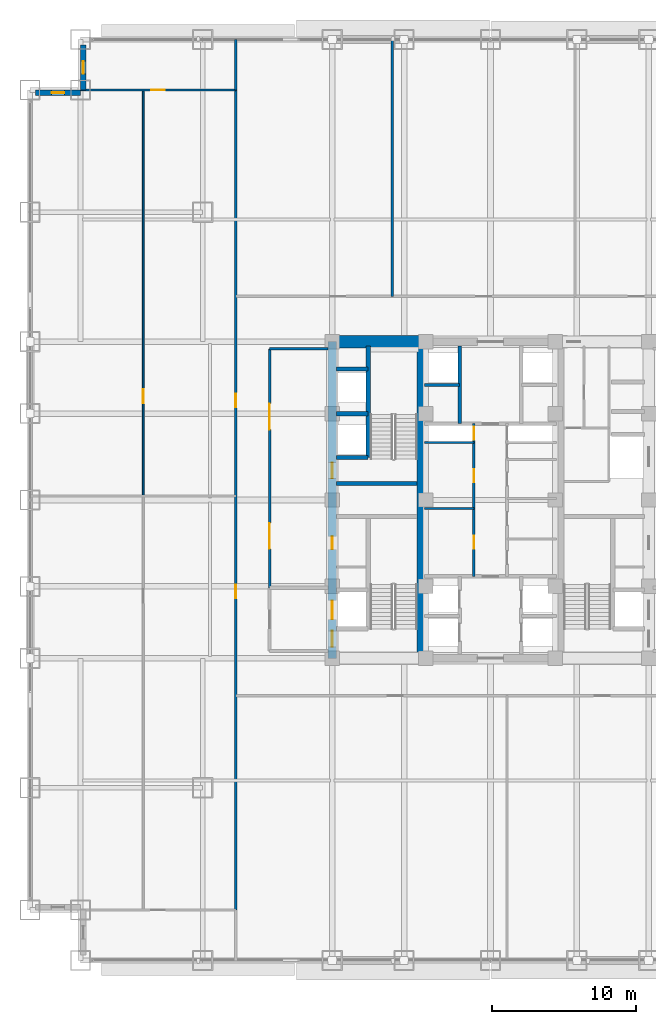
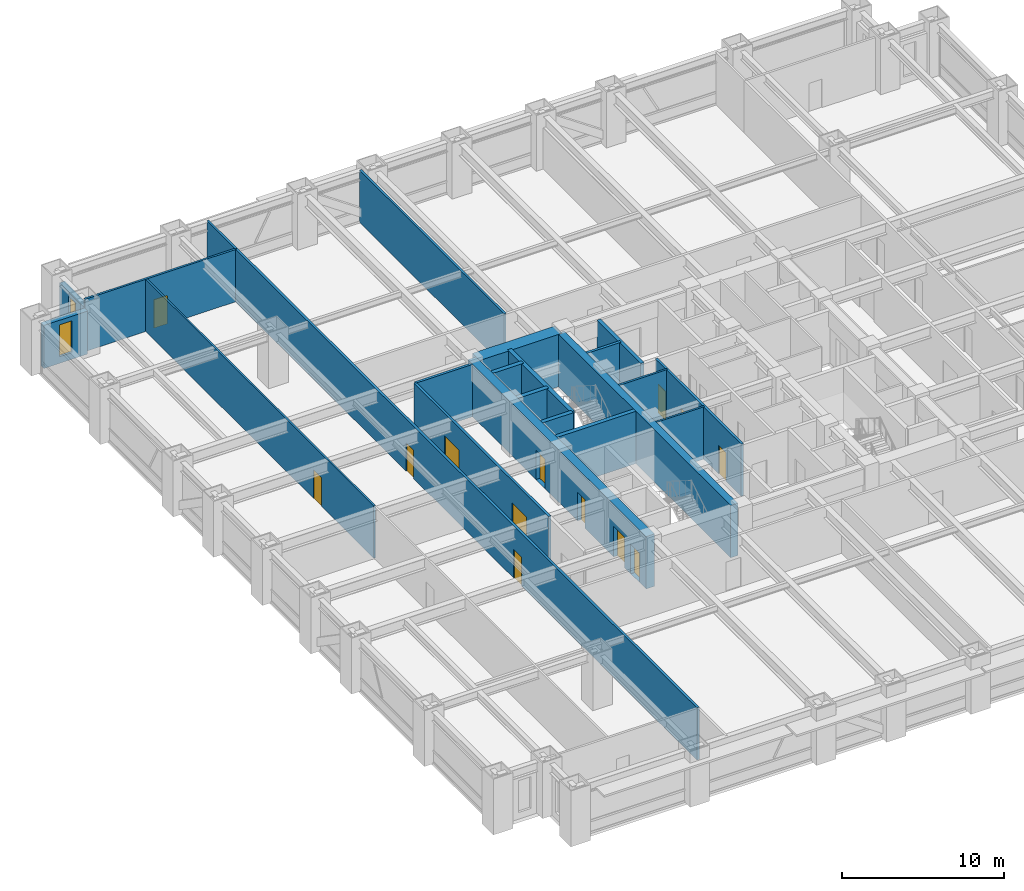
# One storey, part 25 of 32: 22 walls, 13 doors, 2 windows, 15 openings.
"""IFC4 building model written with IfcOpenShell, lengths in metres."""

import ifcopenshell
import ifcopenshell.guid

model = None  # the IFC model being written
_history = None  # IfcOwnerHistory: only IFC2X3 demands one
_inside = {}  # id of a spatial element -> (the spatial element, [elements in it])
_under = {}  # id of a project, library or spatial element -> (it, [spatial elements below it])
_declared = {}  # id of a project -> (the project, [libraries it declares])
_typed = {}  # id of a type object -> (the type object, [elements of that type])
_made_of = {}  # id of a material, layer set ... -> (it, [elements and type objects made of it])


def new_model(schema):
    """Start an empty IFC model of exactly this schema.

    Asked for "IFC4X3", IfcOpenShell would pick the latest addendum, in which some entities
    have other attributes; the version numbers below select the first issue.
    IFC2X3 requires an IfcOwnerHistory on every rooted entity: one is made here for all.
    """
    global model, _history
    if schema == "IFC4X3":
        model = ifcopenshell.file(schema_version=(4, 3, 0, 0))
    else:
        model = ifcopenshell.file(schema=schema)
    _inside.clear()
    _under.clear()
    _declared.clear()
    _typed.clear()
    _made_of.clear()
    _history = None
    if model.schema == "IFC2X3":
        org = make("IfcOrganization", Name="unknown")
        user = make(
            "IfcPersonAndOrganization",
            ThePerson=make("IfcPerson", FamilyName="unknown"),
            TheOrganization=org,
        )
        app = make(
            "IfcApplication",
            ApplicationDeveloper=org,
            Version="unknown",
            ApplicationFullName="unknown",
            ApplicationIdentifier="unknown",
        )
        _history = make(
            "IfcOwnerHistory",
            OwningUser=user,
            OwningApplication=app,
            ChangeAction="ADDED",
            CreationDate=0,
        )
    return model


def make(cls, **values):
    """One entity of the class cls with the attributes given. An attribute that is None is left unset."""
    return model.create_entity(
        cls, **{name: value for name, value in values.items() if value is not None}
    )


def rooted(cls, **values):
    """An entity with a GlobalId (a new one), such as an element, a storey or a relation."""
    return make(cls, GlobalId=ifcopenshell.guid.new(), OwnerHistory=_history, **values)


def si_unit(unit_type, name, prefix=None):
    """IfcSIUnit, for example si_unit("LENGTHUNIT", "METRE", prefix="MILLI")."""
    return make("IfcSIUnit", UnitType=unit_type, Prefix=prefix, Name=name)


def assignment(units):
    """IfcUnitAssignment: the units of a project."""
    return None if units is None else make("IfcUnitAssignment", Units=units)


def point(xyz):
    """IfcCartesianPoint."""
    return None if xyz is None else make("IfcCartesianPoint", Coordinates=xyz)


def direction(xyz):
    """IfcDirection."""
    return None if xyz is None else make("IfcDirection", DirectionRatios=xyz)


def frame(location, z_axis=None, x_axis=None):
    """IfcAxis2Placement3D, a coordinate frame: its origin and axes. An axis left out is left unset."""
    return make(
        "IfcAxis2Placement3D",
        Location=point(location),
        Axis=direction(z_axis),
        RefDirection=direction(x_axis),
    )


def frame_2d(location, x_axis=None):
    """IfcAxis2Placement2D, a coordinate frame in the plane: its origin and x axis."""
    return make(
        "IfcAxis2Placement2D", Location=point(location), RefDirection=direction(x_axis)
    )


def origin():
    """The frame at (0, 0, 0) with its axes left unset."""
    return frame((0.0, 0.0, 0.0))


def place(relative_to, where):
    """IfcLocalPlacement: puts the frame where relative to a parent placement (None: the world)."""
    return make(
        "IfcLocalPlacement", PlacementRelTo=relative_to, RelativePlacement=where
    )


def context(
    kind, dimensions, precision=None, world=None, true_north=None, identifier=None
):
    """IfcGeometricRepresentationContext, for example the 3D "Model" context."""
    return make(
        "IfcGeometricRepresentationContext",
        ContextIdentifier=identifier,
        ContextType=kind,
        CoordinateSpaceDimension=dimensions,
        Precision=precision,
        WorldCoordinateSystem=world,
        TrueNorth=true_north,
    )


def subcontext(parent, identifier, kind, view, scale=None):
    """IfcGeometricRepresentationSubContext, for example "Body" below "Model"."""
    return make(
        "IfcGeometricRepresentationSubContext",
        ContextIdentifier=identifier,
        ContextType=kind,
        ParentContext=parent,
        TargetScale=scale,
        TargetView=view,
    )


def project(units=None, contexts=None):
    """IfcProject with its units and contexts."""
    return rooted(
        "IfcProject",
        Name="project",
        RepresentationContexts=contexts,
        UnitsInContext=assignment(units),
    )


def spatial(cls, under=None, at=None, **own):
    """A site, building, storey or space (cls), placed at a placement, below another one or the project."""
    s = rooted(cls, ObjectPlacement=at, **own)
    if under is not None:
        _under.setdefault(under.id(), (under, []))[1].append(s)
    return s


def profile(cls, at=None, kind="AREA", **sizes):
    """A parametric profile (cls). Its sizes go by their IFC names, for example OverallWidth=200.0."""
    return make(cls, ProfileType=kind, Position=at, **sizes)


def rectangle(**sizes):
    """IfcRectangleProfileDef."""
    return profile("IfcRectangleProfileDef", **sizes)


def extrude(swept, where, along, depth):
    """IfcExtrudedAreaSolid: the profile swept, set in the frame where, extruded along a direction by depth."""
    return make(
        "IfcExtrudedAreaSolid",
        SweptArea=swept,
        Position=where,
        ExtrudedDirection=direction(along),
        Depth=depth,
    )


def shape(context_of_items, identifier, shape_type, items):
    """IfcShapeRepresentation: the items that make up one representation, for example the "Body"."""
    return make(
        "IfcShapeRepresentation",
        ContextOfItems=context_of_items,
        RepresentationIdentifier=identifier,
        RepresentationType=shape_type,
        Items=items,
    )


def source(mapping_origin, context_of_items, identifier, shape_type, items):
    """IfcRepresentationMap: a shape defined once, which mapped items show again and again."""
    return make(
        "IfcRepresentationMap",
        MappingOrigin=mapping_origin,
        MappedRepresentation=shape(context_of_items, identifier, shape_type, items),
    )


def transform(
    local_origin,
    x_axis=None,
    y_axis=None,
    z_axis=None,
    scale=None,
    scale2=None,
    scale3=None,
    uniform=True,
):
    """IfcCartesianTransformationOperator3D, or its non-uniform kind. x_axis, y_axis, z_axis: its Axis1, 2, 3."""
    if uniform:
        return make(
            "IfcCartesianTransformationOperator3D",
            Axis1=direction(x_axis),
            Axis2=direction(y_axis),
            LocalOrigin=point(local_origin),
            Scale=scale,
            Axis3=direction(z_axis),
        )
    return make(
        "IfcCartesianTransformationOperator3DnonUniform",
        Axis1=direction(x_axis),
        Axis2=direction(y_axis),
        LocalOrigin=point(local_origin),
        Scale=scale,
        Axis3=direction(z_axis),
        Scale2=scale2,
        Scale3=scale3,
    )


def mapped(mapping_source, mapping_target):
    """IfcMappedItem: shows the shape of a source again, moved by a transform."""
    return make(
        "IfcMappedItem", MappingSource=mapping_source, MappingTarget=mapping_target
    )


def material(Name=None, Category=None):
    """IfcMaterial."""
    return make("IfcMaterial", Name=Name, Category=Category)


def layer(
    of_material, thickness, ventilated=None, Name=None, Category=None, Priority=None
):
    """IfcMaterialLayer: one layer of a wall or slab, of a material (None: an air gap)."""
    return make(
        "IfcMaterialLayer",
        Material=of_material,
        LayerThickness=thickness,
        IsVentilated=ventilated,
        Name=Name,
        Category=Category,
        Priority=Priority,
    )


def layer_set(layers, Name=None):
    """IfcMaterialLayerSet."""
    return make("IfcMaterialLayerSet", MaterialLayers=layers, LayerSetName=Name)


def made_of(thing, what):
    """Note that an element or type object is made of a material, layer set ...; save() writes the relation."""
    if what is not None:
        _made_of.setdefault(what.id(), (what, []))[1].append(thing)
    return thing


def type_object(cls, material=None, **own):
    """A type object (cls), such as IfcWallType, which elements share."""
    return made_of(rooted(cls, **own), material)


def element(
    cls,
    number,
    at=None,
    inside=None,
    cuts=None,
    type_object=None,
    material=None,
    context=None,
    identifier="Body",
    shape_type=None,
    held_by="IfcProductDefinitionShape",
    body=None,
    shapes=None,
    **own,
):
    """One element of the class cls, such as IfcWall. Its Tag is "e" and its number.

    at: its placement. inside: the storey or other place that contains it. cuts: it is an
    opening in that element (IfcRelVoidsElement). A single representation is given by context,
    identifier, shape_type and body (its items); several are given by shapes. held_by: the class
    of the entity that holds the representations. save() writes the other relations.
    """
    e = rooted(cls, Tag="e%d" % number, ObjectPlacement=at, **own)
    if body is not None:
        shapes = [shape(context, identifier, shape_type, body)]
    if shapes is not None:
        e.Representation = make(held_by, Representations=shapes)
    if inside is not None:
        _inside.setdefault(inside.id(), (inside, []))[1].append(e)
    if cuts is not None:
        rooted(
            "IfcRelVoidsElement", RelatingBuildingElement=cuts, RelatedOpeningElement=e
        )
    if type_object is not None:
        _typed.setdefault(type_object.id(), (type_object, []))[1].append(e)
    return made_of(e, material)


def fill(opening, filler):
    """IfcRelFillsElement: the door or window that sits in an opening."""
    return rooted(
        "IfcRelFillsElement",
        RelatingOpeningElement=opening,
        RelatedBuildingElement=filler,
    )


def aggregate(whole, parts):
    """IfcRelAggregates: a whole, such as a stair, and the parts it consists of."""
    return rooted("IfcRelAggregates", RelatingObject=whole, RelatedObjects=parts)


def save(model, path):
    """Write the relations noted so far, then the file.

    IfcRelAggregates (storeys below a building ...), IfcRelContainedInSpatialStructure (elements
    in a storey), IfcRelDefinesByType, IfcRelAssociatesMaterial and IfcRelDeclares: one each for
    every whole, place, type object, material and project.
    """
    for whole, parts in _under.values():
        aggregate(whole, parts)
    for where, things in _inside.values():
        rooted(
            "IfcRelContainedInSpatialStructure",
            RelatedElements=things,
            RelatingStructure=where,
        )
    for kind, things in _typed.values():
        rooted("IfcRelDefinesByType", RelatedObjects=things, RelatingType=kind)
    for what, things in _made_of.values():
        rooted("IfcRelAssociatesMaterial", RelatedObjects=things, RelatingMaterial=what)
    for by, libraries in _declared.values():
        rooted("IfcRelDeclares", RelatingContext=by, RelatedDefinitions=libraries)
    model.write(path)


model = new_model("IFC4")

# Units and contexts
model_context = context("Model", 3, precision=1e-05, world=origin(), true_north=direction((0.0, 1.0)))
body_context = subcontext(model_context, "Body", "Model", "MODEL_VIEW")
ifc_project = project(units=[si_unit("LENGTHUNIT", "METRE"), si_unit("AREAUNIT", "SQUARE_METRE"), si_unit("VOLUMEUNIT", "CUBIC_METRE"), si_unit("PLANEANGLEUNIT", "RADIAN"), si_unit("MASSUNIT", "GRAM", prefix="KILO")], contexts=[model_context])

# Site, building, storey
site_placement = place(None, origin())
site = spatial("IfcSite", under=ifc_project, at=site_placement, CompositionType="ELEMENT")
building_placement = place(site_placement, origin())
building = spatial("IfcBuilding", under=site, at=building_placement, Name="Khorayat Bourse Tower", CompositionType="ELEMENT")
storey_placement = place(building_placement, frame((0.0, 0.0, 74.60009765625)))
storey = spatial("IfcBuildingStorey", under=building, at=storey_placement, Name="L16", CompositionType="ELEMENT", Elevation=74.60009765625)

# Wall, openings, doors
ifc_material_1 = material(Name="Concrete C60/75", Category="concrete")
ifc_layer_1 = layer(ifc_material_1, 0.60009765625)
ifc_layer_set_1 = layer_set([ifc_layer_1], Name="Concrete C60/75")
wall_type_1 = type_object("IfcWallType", Name="WAL-CORE-600", PredefinedType="SHEAR", material=ifc_layer_set_1)
shared_shape_1 = source(origin(), body_context, "Body", "SweptSolid", [
    extrude(rectangle(XDim=22.0, YDim=0.60009765625, at=frame_2d((11.0, 0.0))), origin(), (0.0, 0.0, 1.0), 3.93994140625),
])
wall_1_placement = place(storey_placement, frame((-11.0, -11.0, 0.0), z_axis=(0.0, 0.0, 1.0), x_axis=(0.0, 1.0, 0.0)))
wall_1 = element("IfcWall", 1, at=wall_1_placement, inside=storey, type_object=wall_type_1, Name="L16 Core Shear Wall CORE-W", PredefinedType="SHEAR", context=body_context, shape_type="MappedRepresentation", body=[
    mapped(shared_shape_1, transform((0.0, 0.0, 0.0), scale=1.0)),
])
shared_shape_2 = source(origin(), body_context, "Body", "SweptSolid", [
    extrude(rectangle(XDim=1.10009765625, YDim=2.199951171875, at=frame_2d((0.550048828125, 1.10009765625))), frame((0.0, 0.31005859375, 0.0), z_axis=(0.0, -1.0, 0.0), x_axis=(1.0, 0.0, 0.0)), (0.0, 0.0, 1.0), 0.6201171875),
])
opening_1_placement = place(wall_1_placement, frame((0.800048828125, 0.0, 0.0)))
opening_1 = element("IfcOpeningElement", 2, at=opening_1_placement, cuts=wall_1, Name="Opening DI-01", PredefinedType="OPENING", context=body_context, shape_type="MappedRepresentation", body=[
    mapped(shared_shape_2, transform((0.0, 0.0, 0.0), scale=1.0)),
])
opening_2_placement = place(wall_1_placement, frame((12.5, 0.0, 0.0)))
opening_2 = element("IfcOpeningElement", 3, at=opening_2_placement, cuts=wall_1, Name="Opening DI-01", PredefinedType="OPENING", context=body_context, shape_type="MappedRepresentation", body=[
    mapped(shared_shape_2, transform((0.0, 0.0, 0.0), scale=1.0)),
])
shared_shape_3 = source(origin(), body_context, "Body", "SweptSolid", [
    extrude(rectangle(XDim=0.89990234375, YDim=2.14990234375, at=frame_2d((0.449951171875, 1.074951171875))), frame((0.0, 0.31005859375, 0.0), z_axis=(0.0, -1.0, 0.0), x_axis=(1.0, 0.0, 0.0)), (0.0, 0.0, 1.0), 0.6201171875),
])
opening_3_placement = place(wall_1_placement, frame((7.574951171875, 0.0, 0.0)))
opening_3 = element("IfcOpeningElement", 4, at=opening_3_placement, cuts=wall_1, Name="Opening DI-06", PredefinedType="OPENING", context=body_context, shape_type="MappedRepresentation", body=[
    mapped(shared_shape_3, transform((0.0, 0.0, 0.0), scale=1.0)),
])
shared_shape_4 = source(origin(), body_context, "Body", "SweptSolid", [
    extrude(rectangle(XDim=1.300048828125, YDim=2.300048828125, at=frame_2d((0.64990234375, 1.14990234375))), frame((0.0, 0.31005859375, 0.0), z_axis=(0.0, -1.0, 0.0), x_axis=(1.0, 0.0, 0.0)), (0.0, 0.0, 1.0), 0.6201171875),
])
opening_4_placement = place(wall_1_placement, frame((2.699951171875, 0.0, 0.0)))
opening_4 = element("IfcOpeningElement", 5, at=opening_4_placement, cuts=wall_1, Name="Opening LD-02", PredefinedType="OPENING", context=body_context, shape_type="MappedRepresentation", body=[
    mapped(shared_shape_4, transform((0.0, 0.0, 0.0), scale=1.0)),
])
ifc_material_2 = material(Name="Fire-rated steel acoustic leaf", Category="steel")
door_type_1 = type_object("IfcDoorType", Name="DR-INT-STAIR-1100", OperationType="NOTDEFINED", PredefinedType="DOOR", material=ifc_material_2)
shared_shape_5 = source(origin(), body_context, "Body", "SweptSolid", [
    extrude(rectangle(XDim=1.10009765625, YDim=2.199951171875, at=frame_2d((0.550048828125, 1.10009765625))), frame((0.0, 0.02490234375, 0.0), z_axis=(0.0, -1.0, 0.0), x_axis=(1.0, 0.0, 0.0)), (0.0, 0.0, 1.0), 0.050048828125),
])
door_1_placement = place(opening_1_placement, origin())
door_1 = element("IfcDoor", 6, at=door_1_placement, inside=storey, type_object=door_type_1, Name="L16 Exit Stair 1 Door", OperationType="SINGLE_SWING_RIGHT", OverallHeight=2.199951171875, OverallWidth=1.10009765625, PredefinedType="DOOR", context=body_context, shape_type="MappedRepresentation", body=[
    mapped(shared_shape_5, transform((0.0, 0.0, 0.0), scale=1.0)),
])
fill(opening_1, door_1)
door_2_placement = place(opening_2_placement, origin())
door_2 = element("IfcDoor", 7, at=door_2_placement, inside=storey, type_object=door_type_1, Name="L16 Exit Stair 2 Door", OperationType="SINGLE_SWING_RIGHT", OverallHeight=2.199951171875, OverallWidth=1.10009765625, PredefinedType="DOOR", context=body_context, shape_type="MappedRepresentation", body=[
    mapped(shared_shape_5, transform((0.0, 0.0, 0.0), scale=1.0)),
])
fill(opening_2, door_2)
ifc_material_3 = material(Name="Moisture-resistant laminate washroom door")
door_type_2 = type_object("IfcDoorType", Name="DR-INT-WC-900", OperationType="NOTDEFINED", PredefinedType="DOOR", material=ifc_material_3)
shared_shape_6 = source(origin(), body_context, "Body", "SweptSolid", [
    extrude(rectangle(XDim=0.89990234375, YDim=2.14990234375, at=frame_2d((0.449951171875, 1.074951171875))), frame((0.0, 0.02490234375, 0.0), z_axis=(0.0, -1.0, 0.0), x_axis=(1.0, 0.0, 0.0)), (0.0, 0.0, 1.0), 0.050048828125),
])
door_3_placement = place(opening_3_placement, origin())
door_3 = element("IfcDoor", 8, at=door_3_placement, inside=storey, type_object=door_type_2, Name="L16 UPS Switch Plant Room Door", OperationType="SINGLE_SWING_RIGHT", OverallHeight=2.14990234375, OverallWidth=0.89990234375, PredefinedType="DOOR", context=body_context, shape_type="MappedRepresentation", body=[
    mapped(shared_shape_6, transform((0.0, 0.0, 0.0), scale=1.0)),
])
fill(opening_3, door_3)
ifc_material_4 = material(Name="Fire-rated stainless-steel sliding landing door", Category="steel")
door_type_3 = type_object("IfcDoorType", Name="DR-LIFT-FF-1300", OperationType="NOTDEFINED", PredefinedType="DOOR", material=ifc_material_4)
shared_shape_7 = source(origin(), body_context, "Body", "SweptSolid", [
    extrude(rectangle(XDim=1.300048828125, YDim=2.300048828125, at=frame_2d((0.64990234375, 1.14990234375))), frame((0.0, 0.02490234375, 0.0), z_axis=(0.0, -1.0, 0.0), x_axis=(1.0, 0.0, 0.0)), (0.0, 0.0, 1.0), 0.050048828125),
])
door_4_placement = place(opening_4_placement, origin())
door_4 = element("IfcDoor", 9, at=door_4_placement, inside=storey, type_object=door_type_3, Name="L16 Lift FFL-01 Sliding Landing Door", OperationType="SLIDING_TO_LEFT", OverallHeight=2.300048828125, OverallWidth=1.300048828125, PredefinedType="DOOR", context=body_context, shape_type="MappedRepresentation", body=[
    mapped(shared_shape_7, transform((0.0, 0.0, 0.0), scale=1.0)),
])
fill(opening_4, door_4)

# Walls
ifc_material_5 = material(Name="Concrete C52/65", Category="concrete")
ifc_layer_2 = layer(ifc_material_5, 0.5)
ifc_layer_set_2 = layer_set([ifc_layer_2], Name="Concrete C52/65")
wall_type_2 = type_object("IfcWallType", Name="WAL-CORE-500", PredefinedType="SHEAR", material=ifc_layer_set_2)
shared_shape_8 = source(origin(), body_context, "Body", "SweptSolid", [
    extrude(rectangle(XDim=21.39990234375, YDim=0.5, at=frame_2d((10.699951171875, 0.0))), origin(), (0.0, 0.0, 1.0), 3.93994140625),
])
wall_2_placement = place(storey_placement, frame((-4.85009765625, -10.699951171875, 0.0), z_axis=(0.0, 0.0, 1.0), x_axis=(0.0, 1.0, 0.0)))
element("IfcWall", 10, at=wall_2_placement, inside=storey, type_object=wall_type_2, Name="L16 Core Shear Wall PIER-W", PredefinedType="SHEAR", context=body_context, shape_type="MappedRepresentation", body=[
    mapped(shared_shape_8, transform((0.0, 0.0, 0.0), scale=1.0)),
])
ifc_material_6 = material(Name="Concrete C72/90", Category="concrete")
ifc_layer_3 = layer(ifc_material_6, 0.89990234375)
ifc_layer_set_3 = layer_set([ifc_layer_3], Name="Concrete C72/90")
wall_type_3 = type_object("IfcWallType", Name="WAL-CORE-900", PredefinedType="SHEAR", material=ifc_layer_set_3)
shared_shape_9 = source(origin(), body_context, "Body", "SweptSolid", [
    extrude(rectangle(XDim=5.849853515625, YDim=0.89990234375, at=frame_2d((2.9248046875, 0.0))), origin(), (0.0, 0.0, 1.0), 3.93994140625),
])
wall_3_placement = place(storey_placement, frame((-10.699951171875, 11.0, 0.0), z_axis=(0.0, 0.0, 1.0), x_axis=(1.0, 0.0, 0.0)))
element("IfcWall", 11, at=wall_3_placement, inside=storey, type_object=wall_type_3, Name="L16 Core Shear Wall PIER-WN", PredefinedType="SHEAR", context=body_context, shape_type="MappedRepresentation", body=[
    mapped(shared_shape_9, transform((0.0, 0.0, 0.0), scale=1.0)),
])
ifc_material_7 = material(Name="Concrete C50/60", Category="concrete")
ifc_layer_4 = layer(ifc_material_7, 0.300048828125)
ifc_layer_set_4 = layer_set([ifc_layer_4], Name="Concrete C50/60")
wall_type_4 = type_object("IfcWallType", Name="WAL-SHAFT-300", PredefinedType="SHEAR", material=ifc_layer_set_4)
shared_shape_10 = source(origin(), body_context, "Body", "SweptSolid", [
    extrude(rectangle(XDim=5.599853515625, YDim=0.300048828125, at=frame_2d((2.7998046875, 0.0))), origin(), (0.0, 0.0, 1.0), 3.93994140625),
])
wall_4_placement = place(storey_placement, frame((-10.699951171875, 1.14990234375, 0.0), z_axis=(0.0, 0.0, 1.0), x_axis=(1.0, 0.0, 0.0)))
element("IfcWall", 12, at=wall_4_placement, inside=storey, type_object=wall_type_4, Name="L16 Core Shear Wall ST2-DIV", PredefinedType="SHEAR", context=body_context, shape_type="MappedRepresentation", body=[
    mapped(shared_shape_10, transform((0.0, 0.0, 0.0), scale=1.0)),
])

# Wall, opening, window
ifc_material_8 = material(Name="Precast concrete C45/55", Category="concrete")
ifc_layer_5 = layer(ifc_material_8, 0.3798828125)
ifc_layer_set_5 = layer_set([ifc_layer_5], Name="Precast concrete C45/55")
wall_type_5 = type_object("IfcWallType", Name="WAL-EXT-STONE-380", PredefinedType="STANDARD", material=ifc_layer_set_5)
shared_shape_11 = source(origin(), body_context, "Body", "SweptSolid", [
    extrude(rectangle(XDim=3.1201171875, YDim=0.3798828125, at=frame_2d((1.56005859375, 0.0))), origin(), (0.0, 0.0, 1.0), 3.244873046875),
])
wall_5_placement = place(storey_placement, frame((-28.31005859375, 28.5, 0.0), z_axis=(0.0, 0.0, 1.0), x_axis=(0.0, 1.0, 0.0)))
wall_5 = element("IfcWall", 13, at=wall_5_placement, inside=storey, type_object=wall_type_5, Name="L16 Re-Entrant Notch Limestone Wall NW-V", PredefinedType="STANDARD", context=body_context, shape_type="MappedRepresentation", body=[
    mapped(shared_shape_11, transform((0.0, 0.0, 0.0), scale=1.0)),
])
shared_shape_12 = source(origin(), body_context, "Body", "SweptSolid", [
    extrude(rectangle(XDim=0.89990234375, YDim=2.39990234375, at=frame_2d((0.449951171875, 1.199951171875))), frame((0.0, 0.199951171875, 0.0), z_axis=(0.0, -1.0, 0.0), x_axis=(1.0, 0.0, 0.0)), (0.0, 0.0, 1.0), 0.39990234375),
])
opening_5_placement = place(wall_5_placement, frame((1.110107421875, 0.0, 0.5)))
opening_5 = element("IfcOpeningElement", 14, at=opening_5_placement, cuts=wall_5, Name="Opening WN-03", PredefinedType="OPENING", context=body_context, shape_type="MappedRepresentation", body=[
    mapped(shared_shape_12, transform((0.0, 0.0, 0.0), scale=1.0)),
])
ifc_material_9 = material(Name="Deep-reveal solar-control double glazing", Category="glass")
window_type = type_object("IfcWindowType", Name="WIN-SLOT-900x2400", PartitioningType="SINGLE_PANEL", PredefinedType="WINDOW", material=ifc_material_9)
shared_shape_13 = source(origin(), body_context, "Body", "SweptSolid", [
    extrude(rectangle(XDim=0.89990234375, YDim=2.39990234375, at=frame_2d((0.449951171875, 1.199951171875))), frame((0.0, 0.030029296875, 0.0), z_axis=(0.0, -1.0, 0.0), x_axis=(1.0, 0.0, 0.0)), (0.0, 0.0, 1.0), 0.06005859375),
])
window_1_placement = place(opening_5_placement, origin())
window_1 = element("IfcWindow", 15, at=window_1_placement, inside=storey, type_object=window_type, Name="L16 Facade Window 1", OverallHeight=2.39990234375, OverallWidth=0.89990234375, PartitioningType="SINGLE_PANEL", PredefinedType="WINDOW", context=body_context, shape_type="MappedRepresentation", body=[
    mapped(shared_shape_13, transform((0.0, 0.0, 0.0), scale=1.0)),
])
fill(opening_5, window_1)

wall_6_placement = place(storey_placement, frame((-28.5, 28.31005859375, 0.0), z_axis=(0.0, 0.0, 1.0), x_axis=(-1.0, 0.0, 0.0)))
wall_6 = element("IfcWall", 16, at=wall_6_placement, inside=storey, type_object=wall_type_5, Name="L16 Re-Entrant Notch Limestone Wall NW-H", PredefinedType="STANDARD", context=body_context, shape_type="MappedRepresentation", body=[
    mapped(shared_shape_11, transform((0.0, 0.0, 0.0), scale=1.0)),
])
opening_6_placement = place(wall_6_placement, frame((1.110107421875, 0.0, 0.5)))
opening_6 = element("IfcOpeningElement", 17, at=opening_6_placement, cuts=wall_6, Name="Opening WN-03", PredefinedType="OPENING", context=body_context, shape_type="MappedRepresentation", body=[
    mapped(shared_shape_12, transform((0.0, 0.0, 0.0), scale=1.0)),
])
window_2_placement = place(opening_6_placement, origin())
window_2 = element("IfcWindow", 18, at=window_2_placement, inside=storey, type_object=window_type, Name="L16 Facade Window 1", OverallHeight=2.39990234375, OverallWidth=0.89990234375, PartitioningType="SINGLE_PANEL", PredefinedType="WINDOW", context=body_context, shape_type="MappedRepresentation", body=[
    mapped(shared_shape_13, transform((0.0, 0.0, 0.0), scale=1.0)),
])
fill(opening_6, window_2)

# Walls
shared_shape_14 = source(origin(), body_context, "Body", "SweptSolid", [
    extrude(rectangle(XDim=2.199951171875, YDim=0.300048828125, at=frame_2d((1.10009765625, 0.0))), origin(), (0.0, 0.0, 1.0), 3.93994140625),
])
for number, where, z_axis, x_axis, name in (
    (19, (-10.699951171875, 2.949951171875, 0.0), (0.0, 0.0, 1.0), (1.0, 0.0, 0.0), "L16 Partition WAL-L16-WPIER-H1S"),
    (20, (-10.699951171875, 6.0, 0.0), (0.0, 0.0, 1.0), (1.0, 0.0, 0.0), "L16 Partition WAL-L16-WPIER-H12"),
    (21, (-10.699951171875, 9.10009765625, 0.0), (0.0, 0.0, 1.0), (1.0, 0.0, 0.0), "L16 Partition WAL-L16-WPIER-H2N"),
):
    element("IfcWall", number, at=place(storey_placement, frame(where, z_axis=z_axis, x_axis=x_axis)), inside=storey, type_object=wall_type_4, Name=name, PredefinedType="SHEAR", context=body_context, shape_type="MappedRepresentation", body=[
        mapped(shared_shape_14, transform((0.0, 0.0, 0.0), scale=1.0)),
    ])
shared_shape_15 = source(origin(), body_context, "Body", "SweptSolid", [
    extrude(rectangle(XDim=7.75, YDim=0.300048828125, at=frame_2d((3.875, 0.0))), origin(), (0.0, 0.0, 1.0), 3.93994140625),
])
wall_7_placement = place(storey_placement, frame((-8.5, 2.949951171875, 0.0), z_axis=(0.0, 0.0, 1.0), x_axis=(0.0, 1.0, 0.0)))
element("IfcWall", 22, at=wall_7_placement, inside=storey, type_object=wall_type_4, Name="L16 Partition WAL-L16-WPIER-ST2S", PredefinedType="SHEAR", context=body_context, shape_type="MappedRepresentation", body=[
    mapped(shared_shape_15, transform((0.0, 0.0, 0.0), scale=1.0)),
])
ifc_material_10 = material(Name="Gypsum plasterboard acoustic stud wall")
ifc_layer_6 = layer(ifc_material_10, 0.179931640625)
ifc_layer_set_6 = layer_set([ifc_layer_6], Name="Gypsum plasterboard acoustic stud wall")
wall_type_6 = type_object("IfcWallType", Name="WAL-PART-CORR-180", PredefinedType="PARTITIONING", material=ifc_layer_set_6)
shared_shape_16 = source(origin(), body_context, "Body", "SweptSolid", [
    extrude(rectangle(XDim=4.050048828125, YDim=0.179931640625, at=frame_2d((2.02490234375, 0.0))), origin(), (0.0, 0.0, 1.0), 3.93994140625),
])
wall_8_placement = place(storey_placement, frame((-15.35009765625, 10.5, 0.0), z_axis=(0.0, 0.0, 1.0), x_axis=(1.0, 0.0, 0.0)))
element("IfcWall", 23, at=wall_8_placement, inside=storey, type_object=wall_type_6, Name="L16 Partition WAL-L16-WLOB-N", PredefinedType="PARTITIONING", context=body_context, shape_type="MappedRepresentation", body=[
    mapped(shared_shape_16, transform((0.0, 0.0, 0.0), scale=1.0)),
])

# Wall, openings, doors
shared_shape_17 = source(origin(), body_context, "Body", "SweptSolid", [
    extrude(rectangle(XDim=16.60009765625, YDim=0.179931640625, at=frame_2d((8.300048828125, 0.0))), origin(), (0.0, 0.0, 1.0), 3.93994140625),
])
wall_9_placement = place(storey_placement, frame((-15.35009765625, -6.10009765625, 0.0), z_axis=(0.0, 0.0, 1.0), x_axis=(0.0, 1.0, 0.0)))
wall_9 = element("IfcWall", 24, at=wall_9_placement, inside=storey, type_object=wall_type_6, Name="L16 Partition WAL-L16-WLOB-W", PredefinedType="PARTITIONING", context=body_context, shape_type="MappedRepresentation", body=[
    mapped(shared_shape_17, transform((0.0, 0.0, 0.0), scale=1.0)),
])
shared_shape_18 = source(origin(), body_context, "Body", "SweptSolid", [
    extrude(rectangle(XDim=1.800048828125, YDim=2.25, at=frame_2d((0.89990234375, 1.125))), frame((0.0, 0.099853515625, 0.0), z_axis=(0.0, -1.0, 0.0), x_axis=(1.0, 0.0, 0.0)), (0.0, 0.0, 1.0), 0.199951171875),
])
opening_7_placement = place(wall_9_placement, frame((2.699951171875, 0.0, 0.0)))
opening_7 = element("IfcOpeningElement", 25, at=opening_7_placement, cuts=wall_9, Name="Opening DI-03", PredefinedType="OPENING", context=body_context, shape_type="MappedRepresentation", body=[
    mapped(shared_shape_18, transform((0.0, 0.0, 0.0), scale=1.0)),
])
opening_8_placement = place(wall_9_placement, frame((11.0, 0.0, 0.0)))
opening_8 = element("IfcOpeningElement", 26, at=opening_8_placement, cuts=wall_9, Name="Opening DI-03", PredefinedType="OPENING", context=body_context, shape_type="MappedRepresentation", body=[
    mapped(shared_shape_18, transform((0.0, 0.0, 0.0), scale=1.0)),
])
ifc_material_11 = material(Name="Fire-rated hardwood vision-panel double leaf", Category="wood")
door_type_4 = type_object("IfcDoorType", Name="DR-INT-CORR-1800", OperationType="NOTDEFINED", PredefinedType="DOOR", material=ifc_material_11)
shared_shape_19 = source(origin(), body_context, "Body", "SweptSolid", [
    extrude(rectangle(XDim=1.800048828125, YDim=2.25, at=frame_2d((0.89990234375, 1.125))), frame((0.0, 0.02490234375, 0.0), z_axis=(0.0, -1.0, 0.0), x_axis=(1.0, 0.0, 0.0)), (0.0, 0.0, 1.0), 0.050048828125),
])
door_5_placement = place(opening_7_placement, origin())
door_5 = element("IfcDoor", 27, at=door_5_placement, inside=storey, type_object=door_type_4, Name="L16 West Core Lobby South Door", OperationType="SINGLE_SWING_LEFT", OverallHeight=2.25, OverallWidth=1.800048828125, PredefinedType="DOOR", context=body_context, shape_type="MappedRepresentation", body=[
    mapped(shared_shape_19, transform((0.0, 0.0, 0.0), scale=1.0)),
])
fill(opening_7, door_5)
door_6_placement = place(opening_8_placement, origin())
door_6 = element("IfcDoor", 28, at=door_6_placement, inside=storey, type_object=door_type_4, Name="L16 West Core Lobby North Door", OperationType="SINGLE_SWING_RIGHT", OverallHeight=2.25, OverallWidth=1.800048828125, PredefinedType="DOOR", context=body_context, shape_type="MappedRepresentation", body=[
    mapped(shared_shape_19, transform((0.0, 0.0, 0.0), scale=1.0)),
])
fill(opening_8, door_6)

# Walls
ifc_material_12 = material(Name="Gypsum plasterboard twin-frame partition")
ifc_layer_7 = layer(ifc_material_12, 0.14990234375)
ifc_layer_set_7 = layer_set([ifc_layer_7], Name="Gypsum plasterboard twin-frame partition")
wall_type_7 = type_object("IfcWallType", Name="WAL-PART-SUITE-150", PredefinedType="PARTITIONING", material=ifc_layer_set_7)
shared_shape_20 = source(origin(), body_context, "Body", "SweptSolid", [
    extrude(rectangle(XDim=3.4501953125, YDim=0.14990234375, at=frame_2d((1.72509765625, 0.0))), origin(), (0.0, 0.0, 1.0), 3.93994140625),
])
wall_10_placement = place(storey_placement, frame((-4.60009765625, 4.0, 0.0), z_axis=(0.0, 0.0, 1.0), x_axis=(1.0, 0.0, 0.0)))
element("IfcWall", 29, at=wall_10_placement, inside=storey, type_object=wall_type_7, Name="L16 Partition WAL-L16-CRSW-S", PredefinedType="PARTITIONING", context=body_context, shape_type="MappedRepresentation", body=[
    mapped(shared_shape_20, transform((0.0, 0.0, 0.0), scale=1.0)),
])
shared_shape_21 = source(origin(), body_context, "Body", "SweptSolid", [
    extrude(rectangle(XDim=5.39990234375, YDim=0.25, at=frame_2d((2.699951171875, 0.0))), origin(), (0.0, 0.0, 1.0), 3.93994140625),
])
wall_11_placement = place(storey_placement, frame((-2.14990234375, 5.300048828125, 0.0), z_axis=(0.0, 0.0, 1.0), x_axis=(0.0, 1.0, 0.0)))
element("IfcWall", 30, at=wall_11_placement, inside=storey, type_object=wall_type_4, Name="L16 Partition WAL-L16-B2-W", PredefinedType="SHEAR", context=body_context, shape_type="MappedRepresentation", body=[
    mapped(shared_shape_21, transform((0.0, 0.0, 0.0), scale=1.0)),
])
shared_shape_22 = source(origin(), body_context, "Body", "SweptSolid", [
    extrude(rectangle(XDim=2.4501953125, YDim=0.199951171875, at=frame_2d((1.22509765625, 0.0))), origin(), (0.0, 0.0, 1.0), 3.93994140625),
])
wall_12_placement = place(storey_placement, frame((-4.60009765625, 8.0, 0.0), z_axis=(0.0, 0.0, 1.0), x_axis=(1.0, 0.0, 0.0)))
element("IfcWall", 31, at=wall_12_placement, inside=storey, type_object=wall_type_4, Name="L16 Partition WAL-L16-B2-MW", PredefinedType="SHEAR", context=body_context, shape_type="MappedRepresentation", body=[
    mapped(shared_shape_22, transform((0.0, 0.0, 0.0), scale=1.0)),
])
ifc_material_13 = material(Name="Moisture-resistant masonry partition", Category="masonry")
ifc_layer_8 = layer(ifc_material_13, 0.139892578125)
ifc_layer_set_8 = layer_set([ifc_layer_8], Name="Moisture-resistant masonry partition")
wall_type_8 = type_object("IfcWallType", Name="WAL-PART-WET-140", PredefinedType="PARTITIONING", material=ifc_layer_set_8)
shared_shape_23 = source(origin(), body_context, "Body", "SweptSolid", [
    extrude(rectangle(XDim=3.4501953125, YDim=0.139892578125, at=frame_2d((1.72509765625, 0.0))), origin(), (0.0, 0.0, 1.0), 3.93994140625),
])
wall_13_placement = place(storey_placement, frame((-4.60009765625, -0.60009765625, 0.0), z_axis=(0.0, 0.0, 1.0), x_axis=(1.0, 0.0, 0.0)))
element("IfcWall", 32, at=wall_13_placement, inside=storey, type_object=wall_type_8, Name="L16 Partition WAL-L16-CMW-D1", PredefinedType="PARTITIONING", context=body_context, shape_type="MappedRepresentation", body=[
    mapped(shared_shape_23, transform((0.0, 0.0, 0.0), scale=1.0)),
])

# Wall, openings, doors
shared_shape_24 = source(origin(), body_context, "Body", "SweptSolid", [
    extrude(rectangle(XDim=10.60009765625, YDim=0.179931640625, at=frame_2d((5.300048828125, 0.0))), origin(), (0.0, 0.0, 1.0), 3.93994140625),
])
wall_14_placement = place(storey_placement, frame((-1.14990234375, -5.300048828125, 0.0), z_axis=(0.0, 0.0, 1.0), x_axis=(0.0, 1.0, 0.0)))
wall_14 = element("IfcWall", 33, at=wall_14_placement, inside=storey, type_object=wall_type_6, Name="L16 Partition WAL-L16-CMW-L", PredefinedType="PARTITIONING", context=body_context, shape_type="MappedRepresentation", body=[
    mapped(shared_shape_24, transform((0.0, 0.0, 0.0), scale=1.0)),
])
shared_shape_25 = source(origin(), body_context, "Body", "SweptSolid", [
    extrude(rectangle(XDim=0.89990234375, YDim=2.14990234375, at=frame_2d((0.449951171875, 1.074951171875))), frame((0.0, 0.099853515625, 0.0), z_axis=(0.0, -1.0, 0.0), x_axis=(1.0, 0.0, 0.0)), (0.0, 0.0, 1.0), 0.199951171875),
])
opening_9_placement = place(wall_14_placement, frame((1.89990234375, 0.0, 0.0)))
opening_9 = element("IfcOpeningElement", 34, at=opening_9_placement, cuts=wall_14, Name="Opening DI-06", PredefinedType="OPENING", context=body_context, shape_type="MappedRepresentation", body=[
    mapped(shared_shape_25, transform((0.0, 0.0, 0.0), scale=1.0)),
])
opening_10_placement = place(wall_14_placement, frame((6.550048828125, 0.0, 0.0)))
opening_10 = element("IfcOpeningElement", 35, at=opening_10_placement, cuts=wall_14, Name="Opening DI-06", PredefinedType="OPENING", context=body_context, shape_type="MappedRepresentation", body=[
    mapped(shared_shape_25, transform((0.0, 0.0, 0.0), scale=1.0)),
])
opening_11_placement = place(wall_14_placement, frame((9.47509765625, 0.0, 0.0)))
opening_11 = element("IfcOpeningElement", 36, at=opening_11_placement, cuts=wall_14, Name="Opening DI-06", PredefinedType="OPENING", context=body_context, shape_type="MappedRepresentation", body=[
    mapped(shared_shape_25, transform((0.0, 0.0, 0.0), scale=1.0)),
])
door_7_placement = place(opening_9_placement, origin())
door_7 = element("IfcDoor", 37, at=door_7_placement, inside=storey, type_object=door_type_2, Name="L16 Male Core Washroom Door", OperationType="SINGLE_SWING_RIGHT", OverallHeight=2.14990234375, OverallWidth=0.89990234375, PredefinedType="DOOR", context=body_context, shape_type="MappedRepresentation", body=[
    mapped(shared_shape_6, transform((0.0, 0.0, 0.0), scale=1.0)),
])
fill(opening_9, door_7)
door_8_placement = place(opening_10_placement, origin())
door_8 = element("IfcDoor", 38, at=door_8_placement, inside=storey, type_object=door_type_2, Name="L16 Chilled Water Riser Plant Room Door", OperationType="SINGLE_SWING_LEFT", OverallHeight=2.14990234375, OverallWidth=0.89990234375, PredefinedType="DOOR", context=body_context, shape_type="MappedRepresentation", body=[
    mapped(shared_shape_6, transform((0.0, 0.0, 0.0), scale=1.0)),
])
fill(opening_10, door_8)
door_9_placement = place(opening_11_placement, origin())
door_9 = element("IfcDoor", 39, at=door_9_placement, inside=storey, type_object=door_type_2, Name="L16 West Core Riser Door", OperationType="SINGLE_SWING_LEFT", OverallHeight=2.14990234375, OverallWidth=0.89990234375, PredefinedType="DOOR", context=body_context, shape_type="MappedRepresentation", body=[
    mapped(shared_shape_6, transform((0.0, 0.0, 0.0), scale=1.0)),
])
fill(opening_11, door_9)

# Wall
shared_shape_26 = source(origin(), body_context, "Body", "SweptSolid", [
    extrude(rectangle(XDim=3.5, YDim=0.14990234375, at=frame_2d((1.75, 0.0))), origin(), (0.0, 0.0, 1.0), 3.93994140625),
])
wall_15_placement = place(storey_placement, frame((-17.699951171875, 28.5, 0.0), z_axis=(0.0, 0.0, 1.0), x_axis=(0.0, 1.0, 0.0)))
element("IfcWall", 40, at=wall_15_placement, inside=storey, type_object=wall_type_7, Name="L16 Partition WAL-L16-NCW-END", PredefinedType="PARTITIONING", context=body_context, shape_type="MappedRepresentation", body=[
    mapped(shared_shape_26, transform((0.0, 0.0, 0.0), scale=1.0)),
])

# Wall, openings, doors
shared_shape_27 = source(origin(), body_context, "Body", "SweptSolid", [
    extrude(rectangle(XDim=57.0, YDim=0.179931640625, at=frame_2d((28.5, 0.0))), origin(), (0.0, 0.0, 1.0), 3.93994140625),
])
wall_16_placement = place(storey_placement, frame((-17.699951171875, -28.5, 0.0), z_axis=(0.0, 0.0, 1.0), x_axis=(0.0, 1.0, 0.0)))
wall_16 = element("IfcWall", 41, at=wall_16_placement, inside=storey, type_object=wall_type_6, Name="L16 Partition WAL-L16-WCORR", PredefinedType="PARTITIONING", context=body_context, shape_type="MappedRepresentation", body=[
    mapped(shared_shape_27, transform((0.0, 0.0, 0.0), scale=1.0)),
])
shared_shape_28 = source(origin(), body_context, "Body", "SweptSolid", [
    extrude(rectangle(XDim=0.949951171875, YDim=2.14990234375, at=frame_2d((0.47509765625, 1.074951171875))), frame((0.0, 0.099853515625, 0.0), z_axis=(0.0, -1.0, 0.0), x_axis=(1.0, 0.0, 0.0)), (0.0, 0.0, 1.0), 0.199951171875),
])
opening_12_placement = place(wall_16_placement, frame((21.66259765625, 0.0, 0.0)))
opening_12 = element("IfcOpeningElement", 42, at=opening_12_placement, cuts=wall_16, Name="Opening DI-05", PredefinedType="OPENING", context=body_context, shape_type="MappedRepresentation", body=[
    mapped(shared_shape_28, transform((0.0, 0.0, 0.0), scale=1.0)),
])
opening_13_placement = place(wall_16_placement, frame((34.9375, 0.0, 0.0)))
opening_13 = element("IfcOpeningElement", 43, at=opening_13_placement, cuts=wall_16, Name="Opening DI-05", PredefinedType="OPENING", context=body_context, shape_type="MappedRepresentation", body=[
    mapped(shared_shape_28, transform((0.0, 0.0, 0.0), scale=1.0)),
])
ifc_material_14 = material(Name="Acoustic oak veneer office door")
door_type_5 = type_object("IfcDoorType", Name="DR-INT-OFFICE-950", OperationType="NOTDEFINED", PredefinedType="DOOR", material=ifc_material_14)
shared_shape_29 = source(origin(), body_context, "Body", "SweptSolid", [
    extrude(rectangle(XDim=0.949951171875, YDim=2.14990234375, at=frame_2d((0.47509765625, 1.074951171875))), frame((0.0, 0.02490234375, 0.0), z_axis=(0.0, -1.0, 0.0), x_axis=(1.0, 0.0, 0.0)), (0.0, 0.0, 1.0), 0.050048828125),
])
door_10_placement = place(opening_12_placement, origin())
door_10 = element("IfcDoor", 44, at=door_10_placement, inside=storey, type_object=door_type_5, Name="L16 Clearing Operations Office W1 Door", OperationType="SINGLE_SWING_RIGHT", OverallHeight=2.14990234375, OverallWidth=0.949951171875, PredefinedType="DOOR", context=body_context, shape_type="MappedRepresentation", body=[
    mapped(shared_shape_29, transform((0.0, 0.0, 0.0), scale=1.0)),
])
fill(opening_12, door_10)
door_11_placement = place(opening_13_placement, origin())
door_11 = element("IfcDoor", 45, at=door_11_placement, inside=storey, type_object=door_type_5, Name="L16 Staff Tea Pantry W2 Door", OperationType="SINGLE_SWING_LEFT", OverallHeight=2.14990234375, OverallWidth=0.949951171875, PredefinedType="DOOR", context=body_context, shape_type="MappedRepresentation", body=[
    mapped(shared_shape_29, transform((0.0, 0.0, 0.0), scale=1.0)),
])
fill(opening_13, door_11)

# Wall, opening, door
shared_shape_30 = source(origin(), body_context, "Body", "SweptSolid", [
    extrude(rectangle(XDim=10.800048828125, YDim=0.14990234375, at=frame_2d((5.39990234375, 0.0))), origin(), (0.0, 0.0, 1.0), 3.93994140625),
])
wall_17_placement = place(storey_placement, frame((-28.5, 28.5, 0.0), z_axis=(0.0, 0.0, 1.0), x_axis=(1.0, 0.0, 0.0)))
wall_17 = element("IfcWall", 46, at=wall_17_placement, inside=storey, type_object=wall_type_7, Name="L16 Partition WAL-L16-CNW", PredefinedType="PARTITIONING", context=body_context, shape_type="MappedRepresentation", body=[
    mapped(shared_shape_30, transform((0.0, 0.0, 0.0), scale=1.0)),
])
shared_shape_31 = source(origin(), body_context, "Body", "SweptSolid", [
    extrude(rectangle(XDim=0.949951171875, YDim=2.14990234375, at=frame_2d((0.47509765625, 1.074951171875))), frame((0.0, 0.0849609375, 0.0), z_axis=(0.0, -1.0, 0.0), x_axis=(1.0, 0.0, 0.0)), (0.0, 0.0, 1.0), 0.169921875),
])
opening_14_placement = place(wall_17_placement, frame((4.925048828125, 0.0, 0.0)))
opening_14 = element("IfcOpeningElement", 47, at=opening_14_placement, cuts=wall_17, Name="Opening DI-05", PredefinedType="OPENING", context=body_context, shape_type="MappedRepresentation", body=[
    mapped(shared_shape_31, transform((0.0, 0.0, 0.0), scale=1.0)),
])
door_12_placement = place(opening_14_placement, origin())
door_12 = element("IfcDoor", 48, at=door_12_placement, inside=storey, type_object=door_type_5, Name="L16 North-West Corner Meeting Room Door", OperationType="SINGLE_SWING_LEFT", OverallHeight=2.14990234375, OverallWidth=0.949951171875, PredefinedType="DOOR", context=body_context, shape_type="MappedRepresentation", body=[
    mapped(shared_shape_29, transform((0.0, 0.0, 0.0), scale=1.0)),
])
fill(opening_14, door_12)

# Wall
shared_shape_32 = source(origin(), body_context, "Body", "SweptSolid", [
    extrude(rectangle(XDim=17.85009765625, YDim=0.14990234375, at=frame_2d((8.925048828125, 0.0))), origin(), (0.0, 0.0, 1.0), 3.93994140625),
])
wall_18_placement = place(storey_placement, frame((-6.824951171875, 14.14990234375, 0.0), z_axis=(0.0, 0.0, 1.0), x_axis=(0.0, 1.0, 0.0)))
element("IfcWall", 49, at=wall_18_placement, inside=storey, type_object=wall_type_7, Name="L16 Partition WAL-L16-NDV-1", PredefinedType="PARTITIONING", context=body_context, shape_type="MappedRepresentation", body=[
    mapped(shared_shape_32, transform((0.0, 0.0, 0.0), scale=1.0)),
])

# Wall, opening, door
ifc_material_15 = material(Name="Gypsum plasterboard partition")
ifc_layer_9 = layer(ifc_material_15, 0.125)
ifc_layer_set_9 = layer_set([ifc_layer_9], Name="Gypsum plasterboard partition")
wall_type_9 = type_object("IfcWallType", Name="WAL-PART-ROOM-125", PredefinedType="PARTITIONING", material=ifc_layer_set_9)
shared_shape_33 = source(origin(), body_context, "Body", "SweptSolid", [
    extrude(rectangle(XDim=28.22509765625, YDim=0.125, at=frame_2d((14.112548828125, 0.0))), origin(), (0.0, 0.0, 1.0), 3.93994140625),
])
wall_19_placement = place(storey_placement, frame((-24.135009765625, 0.27490234375, 0.0), z_axis=(0.0, 0.0, 1.0), x_axis=(0.0, 1.0, 0.0)))
wall_19 = element("IfcWall", 50, at=wall_19_placement, inside=storey, type_object=wall_type_9, Name="L16 Partition WAL-L16-WDP-2", PredefinedType="PARTITIONING", context=body_context, shape_type="MappedRepresentation", body=[
    mapped(shared_shape_33, transform((0.0, 0.0, 0.0), scale=1.0)),
])
shared_shape_34 = source(origin(), body_context, "Body", "SweptSolid", [
    extrude(rectangle(XDim=0.949951171875, YDim=2.14990234375, at=frame_2d((0.47509765625, 1.074951171875))), frame((0.0, 0.072509765625, 0.0), z_axis=(0.0, -1.0, 0.0), x_axis=(1.0, 0.0, 0.0)), (0.0, 0.0, 1.0), 0.14501953125),
])
opening_15_placement = place(wall_19_placement, frame((6.46240234375, 0.0, 0.0)))
opening_15 = element("IfcOpeningElement", 51, at=opening_15_placement, cuts=wall_19, Name="Opening DI-05", PredefinedType="OPENING", context=body_context, shape_type="MappedRepresentation", body=[
    mapped(shared_shape_34, transform((0.0, 0.0, 0.0), scale=1.0)),
])
door_13_placement = place(opening_15_placement, origin())
door_13 = element("IfcDoor", 52, at=door_13_placement, inside=storey, type_object=door_type_5, Name="L16 Clearing Records Archive Store W2B Door", OperationType="SINGLE_SWING_LEFT", OverallHeight=2.14990234375, OverallWidth=0.949951171875, PredefinedType="DOOR", context=body_context, shape_type="MappedRepresentation", body=[
    mapped(shared_shape_29, transform((0.0, 0.0, 0.0), scale=1.0)),
])
fill(opening_15, door_13)

save(model, "model.ifc")
